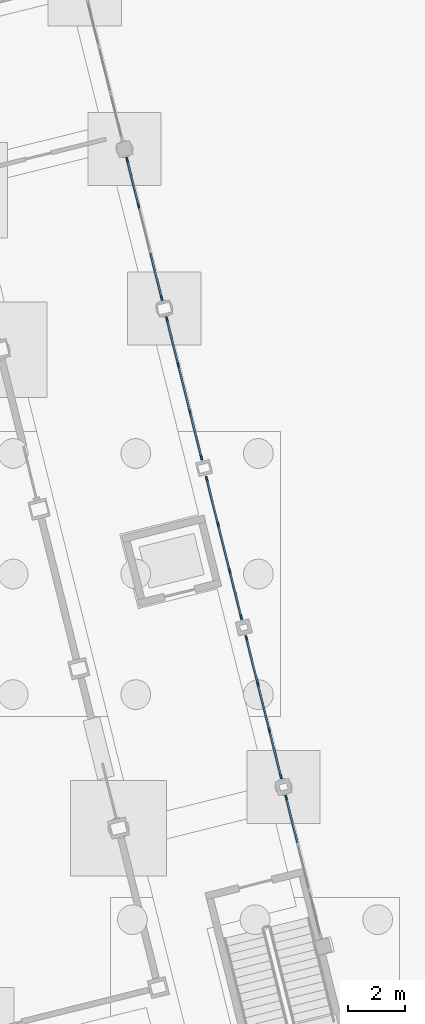
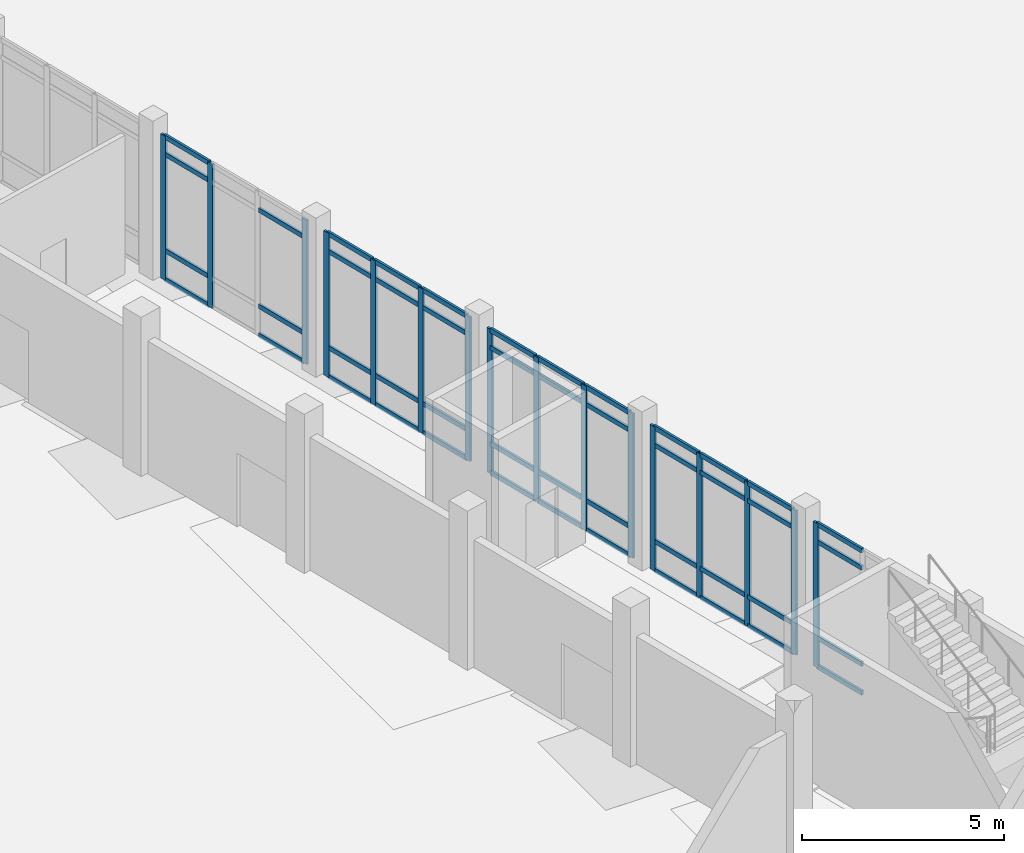
# One storey, part 11 of 72: 63 members, 5 elements without a shape of their own.
"""IFC4 building model written with IfcOpenShell, lengths in metres."""

from ifc_helpers import new_model, si_unit, direction, frame, origin, origin_2d, place, context, subcontext, project, spatial, rectangle, extrude, material, material_profile, profile_set, type_object, element, aggregate, save


model = new_model("IFC4")

# Units and contexts
model_context = context("Model", 3, precision=1e-05, world=origin(), true_north=direction((0.0, 1.0)))
body_context = subcontext(model_context, "Body", "Model", "MODEL_VIEW")
ifc_project = project(units=[si_unit("LENGTHUNIT", "METRE"), si_unit("AREAUNIT", "SQUARE_METRE"), si_unit("VOLUMEUNIT", "CUBIC_METRE"), si_unit("PLANEANGLEUNIT", "RADIAN"), si_unit("MASSUNIT", "GRAM", prefix="KILO")], contexts=[model_context])

# Site, building, storey
site_placement = place(None, origin())
site = spatial("IfcSite", under=ifc_project, at=site_placement, CompositionType="ELEMENT")
building_placement = place(site_placement, origin())
building = spatial("IfcBuilding", under=site, at=building_placement, Name="Cinderway Yard Community Centre", CompositionType="ELEMENT")
storey_placement = place(building_placement, origin())
storey = spatial("IfcBuildingStorey", under=building, at=storey_placement, Name="L00", CompositionType="ELEMENT", Elevation=0.0)

# Curtain wall, member
ifc_material = material(Name="Aluminium 6063-T6", Category="aluminium")
curtain_wall_type = type_object("IfcCurtainWallType", Name="ENV-CW-TYPE-01", PredefinedType="USERDEFINED", material=ifc_material)
curtain_wall_1_placement = place(storey_placement, origin())
curtain_wall_1 = element("IfcCurtainWall", 1, at=curtain_wall_1_placement, inside=storey, type_object=curtain_wall_type, Name="Main Hall Courtyard Curtain Wall ENV-CW-L00-HS-0001", ObjectType="GLAZED CURTAIN WALL", PredefinedType="USERDEFINED")
ifc_material_profile_1 = material_profile(ifc_material, rectangle(XDim=0.06494140625, YDim=0.179931640625, at=origin_2d()), Name="Aluminium 6063-T6")
ifc_profile_set_1 = profile_set([ifc_material_profile_1], Name="Aluminium 6063-T6")
member_type_1 = type_object("IfcMemberType", Name="ENV-CW-MULL-180", PredefinedType="MULLION", material=ifc_profile_set_1)
member_1_placement = place(storey_placement, frame((51.490234375, 38.591796875, 0.0), z_axis=(0.0, 0.0, 1.0), x_axis=(-0.97030436752, -0.241887234827, 0.0)))
member_1 = element("IfcMember", 2, at=member_1_placement, type_object=member_type_1, Name="CW-01 mullion 4", PredefinedType="MULLION", context=body_context, shape_type="SweptSolid", body=[
    extrude(rectangle(XDim=0.06494140625, YDim=0.179931640625, at=origin_2d()), origin(), (0.0, 0.0, 1.0), 4.35009765625),
])

# Curtain wall, members
curtain_wall_2_placement = place(storey_placement, origin())
curtain_wall_2 = element("IfcCurtainWall", 3, at=curtain_wall_2_placement, inside=storey, type_object=curtain_wall_type, Name="Main Hall Courtyard Curtain Wall ENV-CW-L00-HS-0002", ObjectType="GLAZED CURTAIN WALL", PredefinedType="USERDEFINED")
member_2_placement = place(storey_placement, frame((51.3017578125, 39.34814453125, 0.0), z_axis=(0.0, 0.0, 1.0), x_axis=(-0.97030436752, -0.241887234827, 0.0)))
member_2 = element("IfcMember", 4, at=member_2_placement, type_object=member_type_1, Name="CW-01 mullion 1", PredefinedType="MULLION", context=body_context, shape_type="SweptSolid", body=[
    extrude(rectangle(XDim=0.06494140625, YDim=0.179931640625, at=origin_2d()), origin(), (0.0, 0.0, 1.0), 4.35009765625),
])
member_3_placement = place(storey_placement, frame((50.8994140625, 40.96240234375, 0.0), z_axis=(0.0, 0.0, 1.0), x_axis=(-0.97030436752, -0.241887234827, 0.0)))
member_3 = element("IfcMember", 5, at=member_3_placement, type_object=member_type_1, Name="CW-01 mullion 2", PredefinedType="MULLION", context=body_context, shape_type="SweptSolid", body=[
    extrude(rectangle(XDim=0.06494140625, YDim=0.179931640625, at=origin_2d()), origin(), (0.0, 0.0, 1.0), 4.35009765625),
])
member_4_placement = place(storey_placement, frame((50.48974609375, 42.605712890625, 0.0), z_axis=(0.0, 0.0, 1.0), x_axis=(-0.97030436752, -0.241887234827, 0.0)))
member_4 = element("IfcMember", 6, at=member_4_placement, type_object=member_type_1, Name="CW-01 mullion 3", PredefinedType="MULLION", context=body_context, shape_type="SweptSolid", body=[
    extrude(rectangle(XDim=0.06494140625, YDim=0.179931640625, at=origin_2d()), origin(), (0.0, 0.0, 1.0), 4.35009765625),
])
member_5_placement = place(storey_placement, frame((50.087158203125, 44.219970703125, 0.0), z_axis=(0.0, 0.0, 1.0), x_axis=(-0.97030436752, -0.241887234827, 0.0)))
member_5 = element("IfcMember", 7, at=member_5_placement, type_object=member_type_1, Name="CW-01 mullion 4", PredefinedType="MULLION", context=body_context, shape_type="SweptSolid", body=[
    extrude(rectangle(XDim=0.06494140625, YDim=0.179931640625, at=origin_2d()), origin(), (0.0, 0.0, 1.0), 4.35009765625),
])

curtain_wall_3_placement = place(storey_placement, origin())
curtain_wall_3 = element("IfcCurtainWall", 8, at=curtain_wall_3_placement, inside=storey, type_object=curtain_wall_type, Name="Main Hall Courtyard Curtain Wall ENV-CW-L00-HS-0003", ObjectType="GLAZED CURTAIN WALL", PredefinedType="USERDEFINED")
member_6_placement = place(storey_placement, frame((49.898681640625, 44.97607421875, 0.0), z_axis=(0.0, 0.0, 1.0), x_axis=(-0.970292848611, -0.241933436991, 0.0)))
member_6 = element("IfcMember", 9, at=member_6_placement, type_object=member_type_1, Name="CW-01 mullion 1", PredefinedType="MULLION", context=body_context, shape_type="SweptSolid", body=[
    extrude(rectangle(XDim=0.06494140625, YDim=0.179931640625, at=origin_2d()), origin(), (0.0, 0.0, 1.0), 4.35009765625),
])
member_7_placement = place(storey_placement, frame((49.496337890625, 46.590087890625, 0.0), z_axis=(0.0, 0.0, 1.0), x_axis=(-0.970292848611, -0.241933436991, 0.0)))
member_7 = element("IfcMember", 10, at=member_7_placement, type_object=member_type_1, Name="CW-01 mullion 2", PredefinedType="MULLION", context=body_context, shape_type="SweptSolid", body=[
    extrude(rectangle(XDim=0.06494140625, YDim=0.179931640625, at=origin_2d()), origin(), (0.0, 0.0, 1.0), 4.35009765625),
])
member_8_placement = place(storey_placement, frame((49.086669921875, 48.23291015625, 0.0), z_axis=(0.0, 0.0, 1.0), x_axis=(-0.970292848611, -0.241933436991, 0.0)))
member_8 = element("IfcMember", 11, at=member_8_placement, type_object=member_type_1, Name="CW-01 mullion 3", PredefinedType="MULLION", context=body_context, shape_type="SweptSolid", body=[
    extrude(rectangle(XDim=0.06494140625, YDim=0.179931640625, at=origin_2d()), origin(), (0.0, 0.0, 1.0), 4.35009765625),
])
member_9_placement = place(storey_placement, frame((48.684326171875, 49.846923828125, 0.0), z_axis=(0.0, 0.0, 1.0), x_axis=(-0.970292848611, -0.241933436991, 0.0)))
member_9 = element("IfcMember", 12, at=member_9_placement, type_object=member_type_1, Name="CW-01 mullion 4", PredefinedType="MULLION", context=body_context, shape_type="SweptSolid", body=[
    extrude(rectangle(XDim=0.06494140625, YDim=0.179931640625, at=origin_2d()), origin(), (0.0, 0.0, 1.0), 4.35009765625),
])

curtain_wall_4_placement = place(storey_placement, origin())
curtain_wall_4 = element("IfcCurtainWall", 13, at=curtain_wall_4_placement, inside=storey, type_object=curtain_wall_type, Name="Main Hall Courtyard Curtain Wall ENV-CW-L00-HS-0004", ObjectType="GLAZED CURTAIN WALL", PredefinedType="USERDEFINED")
member_10_placement = place(storey_placement, frame((48.495849609375, 50.60302734375, 0.0), z_axis=(0.0, 0.0, 1.0), x_axis=(-0.97030436752, -0.241887234827, 0.0)))
member_10 = element("IfcMember", 14, at=member_10_placement, type_object=member_type_1, Name="CW-01 mullion 1", PredefinedType="MULLION", context=body_context, shape_type="SweptSolid", body=[
    extrude(rectangle(XDim=0.06494140625, YDim=0.179931640625, at=origin_2d()), origin(), (0.0, 0.0, 1.0), 4.35009765625),
])
member_11_placement = place(storey_placement, frame((48.09326171875, 52.21728515625, 0.0), z_axis=(0.0, 0.0, 1.0), x_axis=(-0.97030436752, -0.241887234827, 0.0)))
member_11 = element("IfcMember", 15, at=member_11_placement, type_object=member_type_1, Name="CW-01 mullion 2", PredefinedType="MULLION", context=body_context, shape_type="SweptSolid", body=[
    extrude(rectangle(XDim=0.06494140625, YDim=0.179931640625, at=origin_2d()), origin(), (0.0, 0.0, 1.0), 4.35009765625),
])
member_12_placement = place(storey_placement, frame((47.68359375, 53.860595703125, 0.0), z_axis=(0.0, 0.0, 1.0), x_axis=(-0.97030436752, -0.241887234827, 0.0)))
member_12 = element("IfcMember", 16, at=member_12_placement, type_object=member_type_1, Name="CW-01 mullion 3", PredefinedType="MULLION", context=body_context, shape_type="SweptSolid", body=[
    extrude(rectangle(XDim=0.06494140625, YDim=0.179931640625, at=origin_2d()), origin(), (0.0, 0.0, 1.0), 4.35009765625),
])
member_13_placement = place(storey_placement, frame((47.28125, 55.474853515625, 0.0), z_axis=(0.0, 0.0, 1.0), x_axis=(-0.97030436752, -0.241887234827, 0.0)))
member_13 = element("IfcMember", 17, at=member_13_placement, type_object=member_type_1, Name="CW-01 mullion 4", PredefinedType="MULLION", context=body_context, shape_type="SweptSolid", body=[
    extrude(rectangle(XDim=0.06494140625, YDim=0.179931640625, at=origin_2d()), origin(), (0.0, 0.0, 1.0), 4.35009765625),
])

curtain_wall_5_placement = place(storey_placement, origin())
curtain_wall_5 = element("IfcCurtainWall", 18, at=curtain_wall_5_placement, inside=storey, type_object=curtain_wall_type, Name="Main Hall Courtyard Curtain Wall ENV-CW-L00-HS-0005", ObjectType="GLAZED CURTAIN WALL", PredefinedType="USERDEFINED")
member_14_placement = place(storey_placement, frame((47.0927734375, 56.231201171875, 0.0), z_axis=(0.0, 0.0, 1.0), x_axis=(-0.97030436752, -0.241887234827, 0.0)))
member_14 = element("IfcMember", 19, at=member_14_placement, type_object=member_type_1, Name="CW-01 mullion 1", PredefinedType="MULLION", context=body_context, shape_type="SweptSolid", body=[
    extrude(rectangle(XDim=0.06494140625, YDim=0.179931640625, at=origin_2d()), origin(), (0.0, 0.0, 1.0), 4.35009765625),
])
member_15_placement = place(storey_placement, frame((46.28076171875, 59.48876953125, 0.0), z_axis=(0.0, 0.0, 1.0), x_axis=(-0.97030436752, -0.241887234827, 0.0)))
member_15 = element("IfcMember", 20, at=member_15_placement, type_object=member_type_1, Name="CW-01 mullion 3", PredefinedType="MULLION", context=body_context, shape_type="SweptSolid", body=[
    extrude(rectangle(XDim=0.06494140625, YDim=0.179931640625, at=origin_2d()), origin(), (0.0, 0.0, 1.0), 4.35009765625),
])
member_16_placement = place(storey_placement, frame((45.878173828125, 61.102783203125, 0.0), z_axis=(0.0, 0.0, 1.0), x_axis=(-0.97030436752, -0.241887234827, 0.0)))
member_16 = element("IfcMember", 21, at=member_16_placement, type_object=member_type_1, Name="CW-01 mullion 4", PredefinedType="MULLION", context=body_context, shape_type="SweptSolid", body=[
    extrude(rectangle(XDim=0.06494140625, YDim=0.179931640625, at=origin_2d()), origin(), (0.0, 0.0, 1.0), 4.35009765625),
])

# Member
ifc_material_profile_2 = material_profile(ifc_material, rectangle(XDim=0.06494140625, YDim=0.139892578125, at=origin_2d()), Name="Aluminium 6063-T6")
ifc_profile_set_2 = profile_set([ifc_material_profile_2], Name="Aluminium 6063-T6")
member_type_2 = type_object("IfcMemberType", Name="ENV-CW-TRAN-140", PredefinedType="USERDEFINED", material=ifc_profile_set_2)
member_17_placement = place(storey_placement, frame((51.885498046875, 37.0068359375, 0.030029296875), z_axis=(-0.241926573916, 0.970294559829, 0.0), x_axis=(-0.970294559829, -0.241926573916, 0.0)))
member_17 = element("IfcMember", 22, at=member_17_placement, type_object=member_type_2, Name="CW-01 transom 3.1", ObjectType="TRANSOM", PredefinedType="USERDEFINED", context=body_context, shape_type="SweptSolid", body=[
    extrude(rectangle(XDim=0.06494140625, YDim=0.139892578125, at=origin_2d()), origin(), (0.0, 0.0, 1.0), 1.603515625),
])

member_18_placement = place(storey_placement, frame((51.885498046875, 37.0068359375, 0.89990234375), z_axis=(-0.241926573916, 0.970294559829, 0.0), x_axis=(-0.970294559829, -0.241926573916, 0.0)))
member_18 = element("IfcMember", 23, at=member_18_placement, type_object=member_type_2, Name="CW-01 transom 3.2", ObjectType="TRANSOM", PredefinedType="USERDEFINED", context=body_context, shape_type="SweptSolid", body=[
    extrude(rectangle(XDim=0.06494140625, YDim=0.139892578125, at=origin_2d()), origin(), (0.0, 0.0, 1.0), 1.603515625),
])

member_19_placement = place(storey_placement, frame((51.885498046875, 37.0068359375, 3.800048828125), z_axis=(-0.241926573916, 0.970294559829, 0.0), x_axis=(-0.970294559829, -0.241926573916, 0.0)))
member_19 = element("IfcMember", 24, at=member_19_placement, type_object=member_type_2, Name="CW-01 transom 3.3", ObjectType="TRANSOM", PredefinedType="USERDEFINED", context=body_context, shape_type="SweptSolid", body=[
    extrude(rectangle(XDim=0.06494140625, YDim=0.139892578125, at=origin_2d()), origin(), (0.0, 0.0, 1.0), 1.603515625),
])

member_20_placement = place(storey_placement, frame((51.885498046875, 37.0068359375, 4.320068359375), z_axis=(-0.241926573916, 0.970294559829, 0.0), x_axis=(-0.970294559829, -0.241926573916, 0.0)))
member_20 = element("IfcMember", 25, at=member_20_placement, type_object=member_type_2, Name="CW-01 transom 3.4", ObjectType="TRANSOM", PredefinedType="USERDEFINED", context=body_context, shape_type="SweptSolid", body=[
    extrude(rectangle(XDim=0.06494140625, YDim=0.139892578125, at=origin_2d()), origin(), (0.0, 0.0, 1.0), 1.603515625),
])

aggregate(curtain_wall_1, [member_1, member_17, member_18, member_19, member_20])

member_21_placement = place(storey_placement, frame((51.29443359375, 39.377197265625, 0.030029296875), z_axis=(-0.241926573916, 0.970294559829, 0.0), x_axis=(-0.970294559829, -0.241926573916, 0.0)))
member_21 = element("IfcMember", 26, at=member_21_placement, type_object=member_type_2, Name="CW-01 transom 1.1", ObjectType="TRANSOM", PredefinedType="USERDEFINED", context=body_context, shape_type="SweptSolid", body=[
    extrude(rectangle(XDim=0.06494140625, YDim=0.139892578125, at=origin_2d()), origin(), (0.0, 0.0, 1.0), 1.603515625),
])

member_22_placement = place(storey_placement, frame((51.29443359375, 39.377197265625, 0.89990234375), z_axis=(-0.241926573916, 0.970294559829, 0.0), x_axis=(-0.970294559829, -0.241926573916, 0.0)))
member_22 = element("IfcMember", 27, at=member_22_placement, type_object=member_type_2, Name="CW-01 transom 1.2", ObjectType="TRANSOM", PredefinedType="USERDEFINED", context=body_context, shape_type="SweptSolid", body=[
    extrude(rectangle(XDim=0.06494140625, YDim=0.139892578125, at=origin_2d()), origin(), (0.0, 0.0, 1.0), 1.603515625),
])

member_23_placement = place(storey_placement, frame((51.29443359375, 39.377197265625, 3.800048828125), z_axis=(-0.241926573916, 0.970294559829, 0.0), x_axis=(-0.970294559829, -0.241926573916, 0.0)))
member_23 = element("IfcMember", 28, at=member_23_placement, type_object=member_type_2, Name="CW-01 transom 1.3", ObjectType="TRANSOM", PredefinedType="USERDEFINED", context=body_context, shape_type="SweptSolid", body=[
    extrude(rectangle(XDim=0.06494140625, YDim=0.139892578125, at=origin_2d()), origin(), (0.0, 0.0, 1.0), 1.603515625),
])

member_24_placement = place(storey_placement, frame((51.29443359375, 39.377197265625, 4.320068359375), z_axis=(-0.241926573916, 0.970294559829, 0.0), x_axis=(-0.970294559829, -0.241926573916, 0.0)))
member_24 = element("IfcMember", 29, at=member_24_placement, type_object=member_type_2, Name="CW-01 transom 1.4", ObjectType="TRANSOM", PredefinedType="USERDEFINED", context=body_context, shape_type="SweptSolid", body=[
    extrude(rectangle(XDim=0.06494140625, YDim=0.139892578125, at=origin_2d()), origin(), (0.0, 0.0, 1.0), 1.603515625),
])

member_25_placement = place(storey_placement, frame((50.89208984375, 40.991455078125, 0.030029296875), z_axis=(-0.241937832655, 0.970291752583, 0.0), x_axis=(-0.970291752583, -0.241937832655, 0.0)))
member_25 = element("IfcMember", 30, at=member_25_placement, type_object=member_type_2, Name="CW-01 transom 2.1", ObjectType="TRANSOM", PredefinedType="USERDEFINED", context=body_context, shape_type="SweptSolid", body=[
    extrude(rectangle(XDim=0.06494140625, YDim=0.139892578125, at=origin_2d()), origin(), (0.0, 0.0, 1.0), 1.6337890625),
])

member_26_placement = place(storey_placement, frame((50.89208984375, 40.991455078125, 0.89990234375), z_axis=(-0.241937832655, 0.970291752583, 0.0), x_axis=(-0.970291752583, -0.241937832655, 0.0)))
member_26 = element("IfcMember", 31, at=member_26_placement, type_object=member_type_2, Name="CW-01 transom 2.2", ObjectType="TRANSOM", PredefinedType="USERDEFINED", context=body_context, shape_type="SweptSolid", body=[
    extrude(rectangle(XDim=0.06494140625, YDim=0.139892578125, at=origin_2d()), origin(), (0.0, 0.0, 1.0), 1.6337890625),
])

member_27_placement = place(storey_placement, frame((50.89208984375, 40.991455078125, 3.800048828125), z_axis=(-0.241937832655, 0.970291752583, 0.0), x_axis=(-0.970291752583, -0.241937832655, 0.0)))
member_27 = element("IfcMember", 32, at=member_27_placement, type_object=member_type_2, Name="CW-01 transom 2.3", ObjectType="TRANSOM", PredefinedType="USERDEFINED", context=body_context, shape_type="SweptSolid", body=[
    extrude(rectangle(XDim=0.06494140625, YDim=0.139892578125, at=origin_2d()), origin(), (0.0, 0.0, 1.0), 1.6337890625),
])

member_28_placement = place(storey_placement, frame((50.89208984375, 40.991455078125, 4.320068359375), z_axis=(-0.241937832655, 0.970291752583, 0.0), x_axis=(-0.970291752583, -0.241937832655, 0.0)))
member_28 = element("IfcMember", 33, at=member_28_placement, type_object=member_type_2, Name="CW-01 transom 2.4", ObjectType="TRANSOM", PredefinedType="USERDEFINED", context=body_context, shape_type="SweptSolid", body=[
    extrude(rectangle(XDim=0.06494140625, YDim=0.139892578125, at=origin_2d()), origin(), (0.0, 0.0, 1.0), 1.6337890625),
])

member_29_placement = place(storey_placement, frame((50.482421875, 42.634765625, 0.030029296875), z_axis=(-0.241926573916, 0.970294559829, 0.0), x_axis=(-0.970294559829, -0.241926573916, 0.0)))
member_29 = element("IfcMember", 34, at=member_29_placement, type_object=member_type_2, Name="CW-01 transom 3.1", ObjectType="TRANSOM", PredefinedType="USERDEFINED", context=body_context, shape_type="SweptSolid", body=[
    extrude(rectangle(XDim=0.06494140625, YDim=0.139892578125, at=origin_2d()), origin(), (0.0, 0.0, 1.0), 1.603515625),
])

member_30_placement = place(storey_placement, frame((50.482421875, 42.634765625, 0.89990234375), z_axis=(-0.241926573916, 0.970294559829, 0.0), x_axis=(-0.970294559829, -0.241926573916, 0.0)))
member_30 = element("IfcMember", 35, at=member_30_placement, type_object=member_type_2, Name="CW-01 transom 3.2", ObjectType="TRANSOM", PredefinedType="USERDEFINED", context=body_context, shape_type="SweptSolid", body=[
    extrude(rectangle(XDim=0.06494140625, YDim=0.139892578125, at=origin_2d()), origin(), (0.0, 0.0, 1.0), 1.603515625),
])

member_31_placement = place(storey_placement, frame((50.482421875, 42.634765625, 3.800048828125), z_axis=(-0.241926573916, 0.970294559829, 0.0), x_axis=(-0.970294559829, -0.241926573916, 0.0)))
member_31 = element("IfcMember", 36, at=member_31_placement, type_object=member_type_2, Name="CW-01 transom 3.3", ObjectType="TRANSOM", PredefinedType="USERDEFINED", context=body_context, shape_type="SweptSolid", body=[
    extrude(rectangle(XDim=0.06494140625, YDim=0.139892578125, at=origin_2d()), origin(), (0.0, 0.0, 1.0), 1.603515625),
])

member_32_placement = place(storey_placement, frame((50.482421875, 42.634765625, 4.320068359375), z_axis=(-0.241926573916, 0.970294559829, 0.0), x_axis=(-0.970294559829, -0.241926573916, 0.0)))
member_32 = element("IfcMember", 37, at=member_32_placement, type_object=member_type_2, Name="CW-01 transom 3.4", ObjectType="TRANSOM", PredefinedType="USERDEFINED", context=body_context, shape_type="SweptSolid", body=[
    extrude(rectangle(XDim=0.06494140625, YDim=0.139892578125, at=origin_2d()), origin(), (0.0, 0.0, 1.0), 1.603515625),
])

aggregate(curtain_wall_2, [member_2, member_3, member_4, member_5, member_21, member_22, member_23, member_24, member_25, member_26, member_27, member_28, member_29, member_30, member_31, member_32])

member_33_placement = place(storey_placement, frame((49.8916015625, 45.005126953125, 0.030029296875), z_axis=(-0.241962318399, 0.970285646846, 0.0), x_axis=(-0.970285646846, -0.241962318399, 0.0)))
member_33 = element("IfcMember", 38, at=member_33_placement, type_object=member_type_2, Name="CW-01 transom 1.1", ObjectType="TRANSOM", PredefinedType="USERDEFINED", context=body_context, shape_type="SweptSolid", body=[
    extrude(rectangle(XDim=0.06494140625, YDim=0.139892578125, at=origin_2d()), origin(), (0.0, 0.0, 1.0), 1.603271484375),
])

member_34_placement = place(storey_placement, frame((49.8916015625, 45.005126953125, 0.89990234375), z_axis=(-0.241962318399, 0.970285646846, 0.0), x_axis=(-0.970285646846, -0.241962318399, 0.0)))
member_34 = element("IfcMember", 39, at=member_34_placement, type_object=member_type_2, Name="CW-01 transom 1.2", ObjectType="TRANSOM", PredefinedType="USERDEFINED", context=body_context, shape_type="SweptSolid", body=[
    extrude(rectangle(XDim=0.06494140625, YDim=0.139892578125, at=origin_2d()), origin(), (0.0, 0.0, 1.0), 1.603271484375),
])

member_35_placement = place(storey_placement, frame((49.8916015625, 45.005126953125, 3.800048828125), z_axis=(-0.241962318399, 0.970285646846, 0.0), x_axis=(-0.970285646846, -0.241962318399, 0.0)))
member_35 = element("IfcMember", 40, at=member_35_placement, type_object=member_type_2, Name="CW-01 transom 1.3", ObjectType="TRANSOM", PredefinedType="USERDEFINED", context=body_context, shape_type="SweptSolid", body=[
    extrude(rectangle(XDim=0.06494140625, YDim=0.139892578125, at=origin_2d()), origin(), (0.0, 0.0, 1.0), 1.603271484375),
])

member_36_placement = place(storey_placement, frame((49.8916015625, 45.005126953125, 4.320068359375), z_axis=(-0.241962318399, 0.970285646846, 0.0), x_axis=(-0.970285646846, -0.241962318399, 0.0)))
member_36 = element("IfcMember", 41, at=member_36_placement, type_object=member_type_2, Name="CW-01 transom 1.4", ObjectType="TRANSOM", PredefinedType="USERDEFINED", context=body_context, shape_type="SweptSolid", body=[
    extrude(rectangle(XDim=0.06494140625, YDim=0.139892578125, at=origin_2d()), origin(), (0.0, 0.0, 1.0), 1.603271484375),
])

member_37_placement = place(storey_placement, frame((49.489013671875, 46.619140625, 0.030029296875), z_axis=(-0.24186728009, 0.970309341819, 0.0), x_axis=(-0.970309341819, -0.24186728009, 0.0)))
member_37 = element("IfcMember", 42, at=member_37_placement, type_object=member_type_2, Name="CW-01 transom 2.1", ObjectType="TRANSOM", PredefinedType="USERDEFINED", context=body_context, shape_type="SweptSolid", body=[
    extrude(rectangle(XDim=0.06494140625, YDim=0.139892578125, at=origin_2d()), origin(), (0.0, 0.0, 1.0), 1.63330078125),
])

member_38_placement = place(storey_placement, frame((49.489013671875, 46.619140625, 0.89990234375), z_axis=(-0.24186728009, 0.970309341819, 0.0), x_axis=(-0.970309341819, -0.24186728009, 0.0)))
member_38 = element("IfcMember", 43, at=member_38_placement, type_object=member_type_2, Name="CW-01 transom 2.2", ObjectType="TRANSOM", PredefinedType="USERDEFINED", context=body_context, shape_type="SweptSolid", body=[
    extrude(rectangle(XDim=0.06494140625, YDim=0.139892578125, at=origin_2d()), origin(), (0.0, 0.0, 1.0), 1.63330078125),
])

member_39_placement = place(storey_placement, frame((49.489013671875, 46.619140625, 3.800048828125), z_axis=(-0.24186728009, 0.970309341819, 0.0), x_axis=(-0.970309341819, -0.24186728009, 0.0)))
member_39 = element("IfcMember", 44, at=member_39_placement, type_object=member_type_2, Name="CW-01 transom 2.3", ObjectType="TRANSOM", PredefinedType="USERDEFINED", context=body_context, shape_type="SweptSolid", body=[
    extrude(rectangle(XDim=0.06494140625, YDim=0.139892578125, at=origin_2d()), origin(), (0.0, 0.0, 1.0), 1.63330078125),
])

member_40_placement = place(storey_placement, frame((49.489013671875, 46.619140625, 4.320068359375), z_axis=(-0.24186728009, 0.970309341819, 0.0), x_axis=(-0.970309341819, -0.24186728009, 0.0)))
member_40 = element("IfcMember", 45, at=member_40_placement, type_object=member_type_2, Name="CW-01 transom 2.4", ObjectType="TRANSOM", PredefinedType="USERDEFINED", context=body_context, shape_type="SweptSolid", body=[
    extrude(rectangle(XDim=0.06494140625, YDim=0.139892578125, at=origin_2d()), origin(), (0.0, 0.0, 1.0), 1.63330078125),
])

member_41_placement = place(storey_placement, frame((49.079345703125, 48.26220703125, 0.030029296875), z_axis=(-0.241962318399, 0.970285646846, 0.0), x_axis=(-0.970285646846, -0.241962318399, 0.0)))
member_41 = element("IfcMember", 46, at=member_41_placement, type_object=member_type_2, Name="CW-01 transom 3.1", ObjectType="TRANSOM", PredefinedType="USERDEFINED", context=body_context, shape_type="SweptSolid", body=[
    extrude(rectangle(XDim=0.06494140625, YDim=0.139892578125, at=origin_2d()), origin(), (0.0, 0.0, 1.0), 1.603271484375),
])

member_42_placement = place(storey_placement, frame((49.079345703125, 48.26220703125, 0.89990234375), z_axis=(-0.241962318399, 0.970285646846, 0.0), x_axis=(-0.970285646846, -0.241962318399, 0.0)))
member_42 = element("IfcMember", 47, at=member_42_placement, type_object=member_type_2, Name="CW-01 transom 3.2", ObjectType="TRANSOM", PredefinedType="USERDEFINED", context=body_context, shape_type="SweptSolid", body=[
    extrude(rectangle(XDim=0.06494140625, YDim=0.139892578125, at=origin_2d()), origin(), (0.0, 0.0, 1.0), 1.603271484375),
])

member_43_placement = place(storey_placement, frame((49.079345703125, 48.26220703125, 3.800048828125), z_axis=(-0.241962318399, 0.970285646846, 0.0), x_axis=(-0.970285646846, -0.241962318399, 0.0)))
member_43 = element("IfcMember", 48, at=member_43_placement, type_object=member_type_2, Name="CW-01 transom 3.3", ObjectType="TRANSOM", PredefinedType="USERDEFINED", context=body_context, shape_type="SweptSolid", body=[
    extrude(rectangle(XDim=0.06494140625, YDim=0.139892578125, at=origin_2d()), origin(), (0.0, 0.0, 1.0), 1.603271484375),
])

member_44_placement = place(storey_placement, frame((49.079345703125, 48.26220703125, 4.320068359375), z_axis=(-0.241962318399, 0.970285646846, 0.0), x_axis=(-0.970285646846, -0.241962318399, 0.0)))
member_44 = element("IfcMember", 49, at=member_44_placement, type_object=member_type_2, Name="CW-01 transom 3.4", ObjectType="TRANSOM", PredefinedType="USERDEFINED", context=body_context, shape_type="SweptSolid", body=[
    extrude(rectangle(XDim=0.06494140625, YDim=0.139892578125, at=origin_2d()), origin(), (0.0, 0.0, 1.0), 1.603271484375),
])

aggregate(curtain_wall_3, [member_6, member_7, member_8, member_9, member_33, member_34, member_35, member_36, member_37, member_38, member_39, member_40, member_41, member_42, member_43, member_44])

member_45_placement = place(storey_placement, frame((48.488525390625, 50.63232421875, 0.030029296875), z_axis=(-0.241926573916, 0.970294559829, 0.0), x_axis=(-0.970294559829, -0.241926573916, 0.0)))
member_45 = element("IfcMember", 50, at=member_45_placement, type_object=member_type_2, Name="CW-01 transom 1.1", ObjectType="TRANSOM", PredefinedType="USERDEFINED", context=body_context, shape_type="SweptSolid", body=[
    extrude(rectangle(XDim=0.06494140625, YDim=0.139892578125, at=origin_2d()), origin(), (0.0, 0.0, 1.0), 1.603515625),
])

member_46_placement = place(storey_placement, frame((48.488525390625, 50.63232421875, 0.89990234375), z_axis=(-0.241926573916, 0.970294559829, 0.0), x_axis=(-0.970294559829, -0.241926573916, 0.0)))
member_46 = element("IfcMember", 51, at=member_46_placement, type_object=member_type_2, Name="CW-01 transom 1.2", ObjectType="TRANSOM", PredefinedType="USERDEFINED", context=body_context, shape_type="SweptSolid", body=[
    extrude(rectangle(XDim=0.06494140625, YDim=0.139892578125, at=origin_2d()), origin(), (0.0, 0.0, 1.0), 1.603515625),
])

member_47_placement = place(storey_placement, frame((48.488525390625, 50.63232421875, 3.800048828125), z_axis=(-0.241926573916, 0.970294559829, 0.0), x_axis=(-0.970294559829, -0.241926573916, 0.0)))
member_47 = element("IfcMember", 52, at=member_47_placement, type_object=member_type_2, Name="CW-01 transom 1.3", ObjectType="TRANSOM", PredefinedType="USERDEFINED", context=body_context, shape_type="SweptSolid", body=[
    extrude(rectangle(XDim=0.06494140625, YDim=0.139892578125, at=origin_2d()), origin(), (0.0, 0.0, 1.0), 1.603515625),
])

member_48_placement = place(storey_placement, frame((48.488525390625, 50.63232421875, 4.320068359375), z_axis=(-0.241926573916, 0.970294559829, 0.0), x_axis=(-0.970294559829, -0.241926573916, 0.0)))
member_48 = element("IfcMember", 53, at=member_48_placement, type_object=member_type_2, Name="CW-01 transom 1.4", ObjectType="TRANSOM", PredefinedType="USERDEFINED", context=body_context, shape_type="SweptSolid", body=[
    extrude(rectangle(XDim=0.06494140625, YDim=0.139892578125, at=origin_2d()), origin(), (0.0, 0.0, 1.0), 1.603515625),
])

member_49_placement = place(storey_placement, frame((48.086181640625, 52.246337890625, 0.030029296875), z_axis=(-0.241937832655, 0.970291752583, 0.0), x_axis=(-0.970291752583, -0.241937832655, 0.0)))
member_49 = element("IfcMember", 54, at=member_49_placement, type_object=member_type_2, Name="CW-01 transom 2.1", ObjectType="TRANSOM", PredefinedType="USERDEFINED", context=body_context, shape_type="SweptSolid", body=[
    extrude(rectangle(XDim=0.06494140625, YDim=0.139892578125, at=origin_2d()), origin(), (0.0, 0.0, 1.0), 1.6337890625),
])

member_50_placement = place(storey_placement, frame((48.086181640625, 52.246337890625, 0.89990234375), z_axis=(-0.241937832655, 0.970291752583, 0.0), x_axis=(-0.970291752583, -0.241937832655, 0.0)))
member_50 = element("IfcMember", 55, at=member_50_placement, type_object=member_type_2, Name="CW-01 transom 2.2", ObjectType="TRANSOM", PredefinedType="USERDEFINED", context=body_context, shape_type="SweptSolid", body=[
    extrude(rectangle(XDim=0.06494140625, YDim=0.139892578125, at=origin_2d()), origin(), (0.0, 0.0, 1.0), 1.6337890625),
])

member_51_placement = place(storey_placement, frame((48.086181640625, 52.246337890625, 3.800048828125), z_axis=(-0.241937832655, 0.970291752583, 0.0), x_axis=(-0.970291752583, -0.241937832655, 0.0)))
member_51 = element("IfcMember", 56, at=member_51_placement, type_object=member_type_2, Name="CW-01 transom 2.3", ObjectType="TRANSOM", PredefinedType="USERDEFINED", context=body_context, shape_type="SweptSolid", body=[
    extrude(rectangle(XDim=0.06494140625, YDim=0.139892578125, at=origin_2d()), origin(), (0.0, 0.0, 1.0), 1.6337890625),
])

member_52_placement = place(storey_placement, frame((48.086181640625, 52.246337890625, 4.320068359375), z_axis=(-0.241937832655, 0.970291752583, 0.0), x_axis=(-0.970291752583, -0.241937832655, 0.0)))
member_52 = element("IfcMember", 57, at=member_52_placement, type_object=member_type_2, Name="CW-01 transom 2.4", ObjectType="TRANSOM", PredefinedType="USERDEFINED", context=body_context, shape_type="SweptSolid", body=[
    extrude(rectangle(XDim=0.06494140625, YDim=0.139892578125, at=origin_2d()), origin(), (0.0, 0.0, 1.0), 1.6337890625),
])

member_53_placement = place(storey_placement, frame((47.676513671875, 53.889892578125, 0.030029296875), z_axis=(-0.241926573916, 0.970294559829, 0.0), x_axis=(-0.970294559829, -0.241926573916, 0.0)))
member_53 = element("IfcMember", 58, at=member_53_placement, type_object=member_type_2, Name="CW-01 transom 3.1", ObjectType="TRANSOM", PredefinedType="USERDEFINED", context=body_context, shape_type="SweptSolid", body=[
    extrude(rectangle(XDim=0.06494140625, YDim=0.139892578125, at=origin_2d()), origin(), (0.0, 0.0, 1.0), 1.603515625),
])

member_54_placement = place(storey_placement, frame((47.676513671875, 53.889892578125, 0.89990234375), z_axis=(-0.241926573916, 0.970294559829, 0.0), x_axis=(-0.970294559829, -0.241926573916, 0.0)))
member_54 = element("IfcMember", 59, at=member_54_placement, type_object=member_type_2, Name="CW-01 transom 3.2", ObjectType="TRANSOM", PredefinedType="USERDEFINED", context=body_context, shape_type="SweptSolid", body=[
    extrude(rectangle(XDim=0.06494140625, YDim=0.139892578125, at=origin_2d()), origin(), (0.0, 0.0, 1.0), 1.603515625),
])

member_55_placement = place(storey_placement, frame((47.676513671875, 53.889892578125, 3.800048828125), z_axis=(-0.241926573916, 0.970294559829, 0.0), x_axis=(-0.970294559829, -0.241926573916, 0.0)))
member_55 = element("IfcMember", 60, at=member_55_placement, type_object=member_type_2, Name="CW-01 transom 3.3", ObjectType="TRANSOM", PredefinedType="USERDEFINED", context=body_context, shape_type="SweptSolid", body=[
    extrude(rectangle(XDim=0.06494140625, YDim=0.139892578125, at=origin_2d()), origin(), (0.0, 0.0, 1.0), 1.603515625),
])

member_56_placement = place(storey_placement, frame((47.676513671875, 53.889892578125, 4.320068359375), z_axis=(-0.241926573916, 0.970294559829, 0.0), x_axis=(-0.970294559829, -0.241926573916, 0.0)))
member_56 = element("IfcMember", 61, at=member_56_placement, type_object=member_type_2, Name="CW-01 transom 3.4", ObjectType="TRANSOM", PredefinedType="USERDEFINED", context=body_context, shape_type="SweptSolid", body=[
    extrude(rectangle(XDim=0.06494140625, YDim=0.139892578125, at=origin_2d()), origin(), (0.0, 0.0, 1.0), 1.603515625),
])

aggregate(curtain_wall_4, [member_10, member_11, member_12, member_13, member_45, member_46, member_47, member_48, member_49, member_50, member_51, member_52, member_53, member_54, member_55, member_56])

member_57_placement = place(storey_placement, frame((47.08544921875, 56.26025390625, 0.030029296875), z_axis=(-0.241926573916, 0.970294559829, 0.0), x_axis=(-0.970294559829, -0.241926573916, 0.0)))
member_57 = element("IfcMember", 62, at=member_57_placement, type_object=member_type_2, Name="CW-01 transom 1.1", ObjectType="TRANSOM", PredefinedType="USERDEFINED", context=body_context, shape_type="SweptSolid", body=[
    extrude(rectangle(XDim=0.06494140625, YDim=0.139892578125, at=origin_2d()), origin(), (0.0, 0.0, 1.0), 1.603515625),
])

member_58_placement = place(storey_placement, frame((47.08544921875, 56.26025390625, 0.89990234375), z_axis=(-0.241926573916, 0.970294559829, 0.0), x_axis=(-0.970294559829, -0.241926573916, 0.0)))
member_58 = element("IfcMember", 63, at=member_58_placement, type_object=member_type_2, Name="CW-01 transom 1.2", ObjectType="TRANSOM", PredefinedType="USERDEFINED", context=body_context, shape_type="SweptSolid", body=[
    extrude(rectangle(XDim=0.06494140625, YDim=0.139892578125, at=origin_2d()), origin(), (0.0, 0.0, 1.0), 1.603515625),
])

member_59_placement = place(storey_placement, frame((47.08544921875, 56.26025390625, 3.800048828125), z_axis=(-0.241926573916, 0.970294559829, 0.0), x_axis=(-0.970294559829, -0.241926573916, 0.0)))
member_59 = element("IfcMember", 64, at=member_59_placement, type_object=member_type_2, Name="CW-01 transom 1.3", ObjectType="TRANSOM", PredefinedType="USERDEFINED", context=body_context, shape_type="SweptSolid", body=[
    extrude(rectangle(XDim=0.06494140625, YDim=0.139892578125, at=origin_2d()), origin(), (0.0, 0.0, 1.0), 1.603515625),
])

member_60_placement = place(storey_placement, frame((46.2734375, 59.517822265625, 0.030029296875), z_axis=(-0.241926573916, 0.970294559829, 0.0), x_axis=(-0.970294559829, -0.241926573916, 0.0)))
member_60 = element("IfcMember", 65, at=member_60_placement, type_object=member_type_2, Name="CW-01 transom 3.1", ObjectType="TRANSOM", PredefinedType="USERDEFINED", context=body_context, shape_type="SweptSolid", body=[
    extrude(rectangle(XDim=0.06494140625, YDim=0.139892578125, at=origin_2d()), origin(), (0.0, 0.0, 1.0), 1.603515625),
])

member_61_placement = place(storey_placement, frame((46.2734375, 59.517822265625, 0.89990234375), z_axis=(-0.241926573916, 0.970294559829, 0.0), x_axis=(-0.970294559829, -0.241926573916, 0.0)))
member_61 = element("IfcMember", 66, at=member_61_placement, type_object=member_type_2, Name="CW-01 transom 3.2", ObjectType="TRANSOM", PredefinedType="USERDEFINED", context=body_context, shape_type="SweptSolid", body=[
    extrude(rectangle(XDim=0.06494140625, YDim=0.139892578125, at=origin_2d()), origin(), (0.0, 0.0, 1.0), 1.603515625),
])

member_62_placement = place(storey_placement, frame((46.2734375, 59.517822265625, 3.800048828125), z_axis=(-0.241926573916, 0.970294559829, 0.0), x_axis=(-0.970294559829, -0.241926573916, 0.0)))
member_62 = element("IfcMember", 67, at=member_62_placement, type_object=member_type_2, Name="CW-01 transom 3.3", ObjectType="TRANSOM", PredefinedType="USERDEFINED", context=body_context, shape_type="SweptSolid", body=[
    extrude(rectangle(XDim=0.06494140625, YDim=0.139892578125, at=origin_2d()), origin(), (0.0, 0.0, 1.0), 1.603515625),
])

member_63_placement = place(storey_placement, frame((46.2734375, 59.517822265625, 4.320068359375), z_axis=(-0.241926573916, 0.970294559829, 0.0), x_axis=(-0.970294559829, -0.241926573916, 0.0)))
member_63 = element("IfcMember", 68, at=member_63_placement, type_object=member_type_2, Name="CW-01 transom 3.4", ObjectType="TRANSOM", PredefinedType="USERDEFINED", context=body_context, shape_type="SweptSolid", body=[
    extrude(rectangle(XDim=0.06494140625, YDim=0.139892578125, at=origin_2d()), origin(), (0.0, 0.0, 1.0), 1.603515625),
])

aggregate(curtain_wall_5, [member_14, member_15, member_16, member_57, member_58, member_59, member_60, member_61, member_62, member_63])

save(model, "model.ifc")
